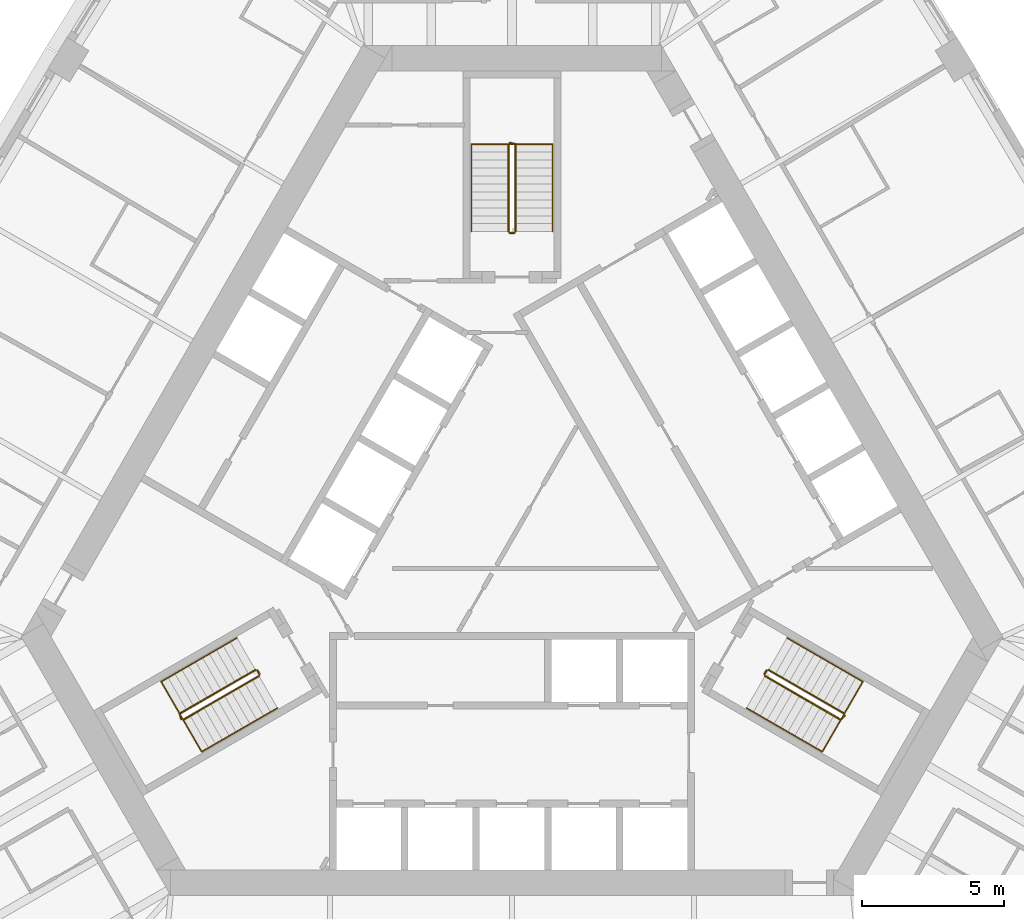
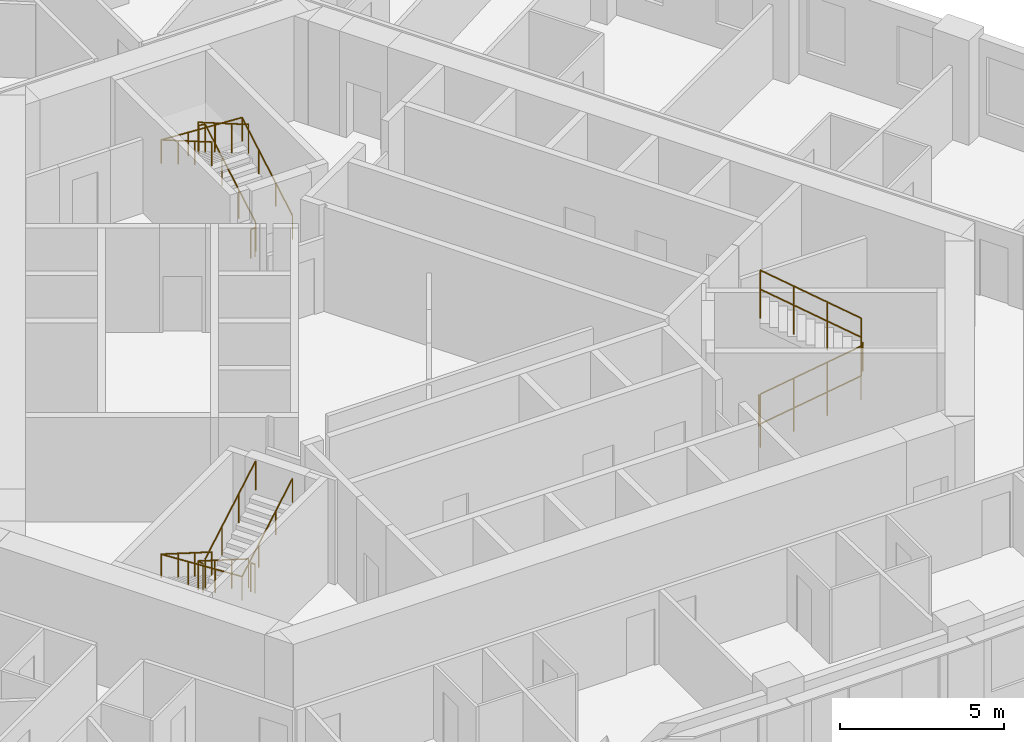
# One storey, part 13 of 13: 12 railings.
"""IFC4 building model written with IfcOpenShell, lengths in metres."""

import ifcopenshell
import ifcopenshell.guid

model = None  # the IFC model being written
_history = None  # IfcOwnerHistory: only IFC2X3 demands one
_inside = {}  # id of a spatial element -> (the spatial element, [elements in it])
_under = {}  # id of a project, library or spatial element -> (it, [spatial elements below it])
_declared = {}  # id of a project -> (the project, [libraries it declares])
_typed = {}  # id of a type object -> (the type object, [elements of that type])
_made_of = {}  # id of a material, layer set ... -> (it, [elements and type objects made of it])


def new_model(schema):
    """Start an empty IFC model of exactly this schema.

    Asked for "IFC4X3", IfcOpenShell would pick the latest addendum, in which some entities
    have other attributes; the version numbers below select the first issue.
    IFC2X3 requires an IfcOwnerHistory on every rooted entity: one is made here for all.
    """
    global model, _history
    if schema == "IFC4X3":
        model = ifcopenshell.file(schema_version=(4, 3, 0, 0))
    else:
        model = ifcopenshell.file(schema=schema)
    _inside.clear()
    _under.clear()
    _declared.clear()
    _typed.clear()
    _made_of.clear()
    _history = None
    if model.schema == "IFC2X3":
        org = make("IfcOrganization", Name="unknown")
        user = make(
            "IfcPersonAndOrganization",
            ThePerson=make("IfcPerson", FamilyName="unknown"),
            TheOrganization=org,
        )
        app = make(
            "IfcApplication",
            ApplicationDeveloper=org,
            Version="unknown",
            ApplicationFullName="unknown",
            ApplicationIdentifier="unknown",
        )
        _history = make(
            "IfcOwnerHistory",
            OwningUser=user,
            OwningApplication=app,
            ChangeAction="ADDED",
            CreationDate=0,
        )
    return model


def make(cls, **values):
    """One entity of the class cls with the attributes given. An attribute that is None is left unset."""
    return model.create_entity(
        cls, **{name: value for name, value in values.items() if value is not None}
    )


def rooted(cls, **values):
    """An entity with a GlobalId (a new one), such as an element, a storey or a relation."""
    return make(cls, GlobalId=ifcopenshell.guid.new(), OwnerHistory=_history, **values)


def si_unit(unit_type, name, prefix=None):
    """IfcSIUnit, for example si_unit("LENGTHUNIT", "METRE", prefix="MILLI")."""
    return make("IfcSIUnit", UnitType=unit_type, Prefix=prefix, Name=name)


def assignment(units):
    """IfcUnitAssignment: the units of a project."""
    return None if units is None else make("IfcUnitAssignment", Units=units)


def point(xyz):
    """IfcCartesianPoint."""
    return None if xyz is None else make("IfcCartesianPoint", Coordinates=xyz)


def direction(xyz):
    """IfcDirection."""
    return None if xyz is None else make("IfcDirection", DirectionRatios=xyz)


def frame(location, z_axis=None, x_axis=None):
    """IfcAxis2Placement3D, a coordinate frame: its origin and axes. An axis left out is left unset."""
    return make(
        "IfcAxis2Placement3D",
        Location=point(location),
        Axis=direction(z_axis),
        RefDirection=direction(x_axis),
    )


def frame_2d(location, x_axis=None):
    """IfcAxis2Placement2D, a coordinate frame in the plane: its origin and x axis."""
    return make(
        "IfcAxis2Placement2D", Location=point(location), RefDirection=direction(x_axis)
    )


def origin():
    """The frame at (0, 0, 0) with its axes left unset."""
    return frame((0.0, 0.0, 0.0))


def origin_2d():
    """The frame at (0, 0) in the plane with its x axis left unset."""
    return frame_2d((0.0, 0.0))


def place(relative_to, where):
    """IfcLocalPlacement: puts the frame where relative to a parent placement (None: the world)."""
    return make(
        "IfcLocalPlacement", PlacementRelTo=relative_to, RelativePlacement=where
    )


def context(
    kind, dimensions, precision=None, world=None, true_north=None, identifier=None
):
    """IfcGeometricRepresentationContext, for example the 3D "Model" context."""
    return make(
        "IfcGeometricRepresentationContext",
        ContextIdentifier=identifier,
        ContextType=kind,
        CoordinateSpaceDimension=dimensions,
        Precision=precision,
        WorldCoordinateSystem=world,
        TrueNorth=true_north,
    )


def subcontext(parent, identifier, kind, view, scale=None):
    """IfcGeometricRepresentationSubContext, for example "Body" below "Model"."""
    return make(
        "IfcGeometricRepresentationSubContext",
        ContextIdentifier=identifier,
        ContextType=kind,
        ParentContext=parent,
        TargetScale=scale,
        TargetView=view,
    )


def project(units=None, contexts=None):
    """IfcProject with its units and contexts."""
    return rooted(
        "IfcProject",
        Name="project",
        RepresentationContexts=contexts,
        UnitsInContext=assignment(units),
    )


def spatial(cls, under=None, at=None, **own):
    """A site, building, storey or space (cls), placed at a placement, below another one or the project."""
    s = rooted(cls, ObjectPlacement=at, **own)
    if under is not None:
        _under.setdefault(under.id(), (under, []))[1].append(s)
    return s


def profile(cls, at=None, kind="AREA", **sizes):
    """A parametric profile (cls). Its sizes go by their IFC names, for example OverallWidth=200.0."""
    return make(cls, ProfileType=kind, Position=at, **sizes)


def circle(**sizes):
    """IfcCircleProfileDef."""
    return profile("IfcCircleProfileDef", **sizes)


def extrude(swept, where, along, depth):
    """IfcExtrudedAreaSolid: the profile swept, set in the frame where, extruded along a direction by depth."""
    return make(
        "IfcExtrudedAreaSolid",
        SweptArea=swept,
        Position=where,
        ExtrudedDirection=direction(along),
        Depth=depth,
    )


def shape(context_of_items, identifier, shape_type, items):
    """IfcShapeRepresentation: the items that make up one representation, for example the "Body"."""
    return make(
        "IfcShapeRepresentation",
        ContextOfItems=context_of_items,
        RepresentationIdentifier=identifier,
        RepresentationType=shape_type,
        Items=items,
    )


def material(Name=None, Category=None):
    """IfcMaterial."""
    return make("IfcMaterial", Name=Name, Category=Category)


def made_of(thing, what):
    """Note that an element or type object is made of a material, layer set ...; save() writes the relation."""
    if what is not None:
        _made_of.setdefault(what.id(), (what, []))[1].append(thing)
    return thing


def type_object(cls, material=None, **own):
    """A type object (cls), such as IfcWallType, which elements share."""
    return made_of(rooted(cls, **own), material)


def element(
    cls,
    number,
    at=None,
    inside=None,
    cuts=None,
    type_object=None,
    material=None,
    context=None,
    identifier="Body",
    shape_type=None,
    held_by="IfcProductDefinitionShape",
    body=None,
    shapes=None,
    **own,
):
    """One element of the class cls, such as IfcWall. Its Tag is "e" and its number.

    at: its placement. inside: the storey or other place that contains it. cuts: it is an
    opening in that element (IfcRelVoidsElement). A single representation is given by context,
    identifier, shape_type and body (its items); several are given by shapes. held_by: the class
    of the entity that holds the representations. save() writes the other relations.
    """
    e = rooted(cls, Tag="e%d" % number, ObjectPlacement=at, **own)
    if body is not None:
        shapes = [shape(context, identifier, shape_type, body)]
    if shapes is not None:
        e.Representation = make(held_by, Representations=shapes)
    if inside is not None:
        _inside.setdefault(inside.id(), (inside, []))[1].append(e)
    if cuts is not None:
        rooted(
            "IfcRelVoidsElement", RelatingBuildingElement=cuts, RelatedOpeningElement=e
        )
    if type_object is not None:
        _typed.setdefault(type_object.id(), (type_object, []))[1].append(e)
    return made_of(e, material)


def aggregate(whole, parts):
    """IfcRelAggregates: a whole, such as a stair, and the parts it consists of."""
    return rooted("IfcRelAggregates", RelatingObject=whole, RelatedObjects=parts)


def save(model, path):
    """Write the relations noted so far, then the file.

    IfcRelAggregates (storeys below a building ...), IfcRelContainedInSpatialStructure (elements
    in a storey), IfcRelDefinesByType, IfcRelAssociatesMaterial and IfcRelDeclares: one each for
    every whole, place, type object, material and project.
    """
    for whole, parts in _under.values():
        aggregate(whole, parts)
    for where, things in _inside.values():
        rooted(
            "IfcRelContainedInSpatialStructure",
            RelatedElements=things,
            RelatingStructure=where,
        )
    for kind, things in _typed.values():
        rooted("IfcRelDefinesByType", RelatedObjects=things, RelatingType=kind)
    for what, things in _made_of.values():
        rooted("IfcRelAssociatesMaterial", RelatedObjects=things, RelatingMaterial=what)
    for by, libraries in _declared.values():
        rooted("IfcRelDeclares", RelatingContext=by, RelatedDefinitions=libraries)
    model.write(path)


model = new_model("IFC4")

# Units and contexts
model_context = context("Model", 3, precision=1e-05, world=origin(), true_north=direction((0.0, 1.0)))
body_context = subcontext(model_context, "Body", "Model", "MODEL_VIEW")
ifc_project = project(units=[si_unit("LENGTHUNIT", "METRE"), si_unit("AREAUNIT", "SQUARE_METRE"), si_unit("VOLUMEUNIT", "CUBIC_METRE"), si_unit("PLANEANGLEUNIT", "RADIAN"), si_unit("MASSUNIT", "GRAM", prefix="KILO")], contexts=[model_context])

# Site, building, storey
site_placement = place(None, origin())
site = spatial("IfcSite", under=ifc_project, at=site_placement, CompositionType="ELEMENT")
building_placement = place(site_placement, origin())
building = spatial("IfcBuilding", under=site, at=building_placement, Name="Mestral Congress Tower", CompositionType="ELEMENT")
storey_placement = place(building_placement, frame((0.0, 0.0, 99.300048828125)))
storey = spatial("IfcBuildingStorey", under=building, at=storey_placement, Name="L23", CompositionType="ELEMENT", Elevation=99.300048828125)

# Railings
ifc_material_1 = material(Name="Steel balustrade", Category="steel")
railing_type_1 = type_object("IfcRailingType", Name="Stair guard 1100", PredefinedType="GUARDRAIL", material=ifc_material_1)
railing_1_placement = place(storey_placement, frame((8.90087890625, -5.283203125, 0.162353515625)))
element("IfcRailing", 1, at=railing_1_placement, inside=storey, type_object=railing_type_1, Name="L23 ST1 stair guard 1", PredefinedType="GUARDRAIL", context=body_context, shape_type="SweptSolid", body=[
    extrude(circle(Radius=0.02392578125, at=origin_2d()), frame((0.0, 0.0, 1.076171875), z_axis=(0.748993966903, -0.432462603499, 0.501980212875), x_axis=(0.500026652407, 0.866010015463, 0.0)), (0.0, 0.0, 1.0), 3.56103515625),
    extrude(circle(Radius=0.02392578125, at=origin_2d()), frame((2.667236328125, -1.5400390625, 2.86376953125), z_axis=(0.695164929852, 0.718850276695, 0.0), x_axis=(-0.718850276695, 0.695164929852, 0.0)), (0.0, 0.0, 1.0), 0.2060546875),
    extrude(circle(Radius=0.02099609375, at=origin_2d()), origin(), (0.0, 0.0, 1.0), 1.052001953125),
    extrude(circle(Radius=0.02099609375, at=origin_2d()), frame((0.88916015625, -0.513427734375, 0.595947265625)), (0.0, 0.0, 1.0), 1.052001953125),
    extrude(circle(Radius=0.02099609375, at=origin_2d()), frame((1.778076171875, -1.026611328125, 1.191650390625)), (0.0, 0.0, 1.0), 1.052001953125),
    extrude(circle(Radius=0.02099609375, at=origin_2d()), frame((2.667236328125, -1.5400390625, 1.78759765625)), (0.0, 0.0, 1.0), 1.052001953125),
    extrude(circle(Radius=0.02099609375, at=origin_2d()), frame((2.810546875, -1.391845703125, 1.78759765625)), (0.0, 0.0, 1.0), 1.052001953125),
])
railing_2_placement = place(storey_placement, frame((11.693115234375, -6.606689453125, 2.112548828125)))
element("IfcRailing", 2, at=railing_2_placement, inside=storey, type_object=railing_type_1, Name="L23 ST1 stair guard 2", PredefinedType="GUARDRAIL", context=body_context, shape_type="SweptSolid", body=[
    extrude(circle(Radius=0.02392578125, at=origin_2d()), frame((0.0, 0.0, 1.076171875), z_axis=(-0.749019742845, 0.432477486304, 0.501928927906), x_axis=(-0.500026652407, -0.866010015463, 0.0)), (0.0, 0.0, 1.0), 3.56103515625),
    extrude(circle(Radius=0.02099609375, at=origin_2d()), origin(), (0.0, 0.0, 1.0), 1.052001953125),
    extrude(circle(Radius=0.02099609375, at=origin_2d()), frame((-0.88916015625, 0.513427734375, 0.595703125)), (0.0, 0.0, 1.0), 1.052001953125),
    extrude(circle(Radius=0.02099609375, at=origin_2d()), frame((-1.778076171875, 1.026611328125, 1.191650390625)), (0.0, 0.0, 1.0), 1.052001953125),
    extrude(circle(Radius=0.02099609375, at=origin_2d()), frame((-2.667236328125, 1.5400390625, 1.787353515625)), (0.0, 0.0, 1.0), 1.052001953125),
])
railing_3_placement = place(storey_placement, frame((8.882568359375, -5.21484375, 0.0)))
element("IfcRailing", 3, at=railing_3_placement, inside=storey, type_object=railing_type_1, Name="L23 ST1 stair guard 3", PredefinedType="GUARDRAIL", context=body_context, shape_type="SweptSolid", body=[
    extrude(circle(Radius=0.02392578125, at=origin_2d()), frame((0.0, 0.0, 1.076171875), z_axis=(0.499816412211, 0.866131372301, 0.0), x_axis=(-0.866131372301, 0.499816412211, 0.0)), (0.0, 0.0, 1.0), 0.14990234375),
    extrude(circle(Radius=0.02099609375, at=origin_2d()), origin(), (0.0, 0.0, 1.0), 1.052001953125),
    extrude(circle(Radius=0.02099609375, at=origin_2d()), frame((0.074951171875, 0.1298828125, 0.0)), (0.0, 0.0, 1.0), 1.052001953125),
])
railing_4_placement = place(storey_placement, frame((0.125, 10.35009765625, 0.162353515625)))
element("IfcRailing", 4, at=railing_4_placement, inside=storey, type_object=railing_type_1, Name="L23 ST2 stair guard 1", PredefinedType="GUARDRAIL", context=body_context, shape_type="SweptSolid", body=[
    extrude(circle(Radius=0.02392578125, at=origin_2d()), frame((0.0, 0.0, 1.076171875), z_axis=(0.0, 0.864873446163, 0.501989962173), x_axis=(-1.0, 0.0, 0.0)), (0.0, 0.0, 1.0), 3.56103515625),
    extrude(circle(Radius=0.02392578125, at=origin_2d()), frame((0.0, 3.079833984375, 2.86376953125), z_axis=(-0.970072785993, 0.242814311512, 0.0), x_axis=(-0.242814311512, -0.970072785993, 0.0)), (0.0, 0.0, 1.0), 0.2060546875),
    extrude(circle(Radius=0.02099609375, at=origin_2d()), origin(), (0.0, 0.0, 1.0), 1.052001953125),
    extrude(circle(Radius=0.02099609375, at=origin_2d()), frame((0.0, 1.026611328125, 0.595947265625)), (0.0, 0.0, 1.0), 1.052001953125),
    extrude(circle(Radius=0.02099609375, at=origin_2d()), frame((0.0, 2.05322265625, 1.191650390625)), (0.0, 0.0, 1.0), 1.052001953125),
    extrude(circle(Radius=0.02099609375, at=origin_2d()), frame((0.0, 3.079833984375, 1.78759765625)), (0.0, 0.0, 1.0), 1.052001953125),
    extrude(circle(Radius=0.02099609375, at=origin_2d()), frame((-0.199951171875, 3.1298828125, 1.78759765625)), (0.0, 0.0, 1.0), 1.052001953125),
])
railing_5_placement = place(storey_placement, frame((-0.125, 13.429931640625, 2.112548828125)))
element("IfcRailing", 5, at=railing_5_placement, inside=storey, type_object=railing_type_1, Name="L23 ST2 stair guard 2", PredefinedType="GUARDRAIL", context=body_context, shape_type="SweptSolid", body=[
    extrude(circle(Radius=0.02392578125, at=origin_2d()), frame((0.0, 0.0, 1.076171875), z_axis=(0.0, -0.864903211148, 0.501938676878), x_axis=(1.0, 0.0, 0.0)), (0.0, 0.0, 1.0), 3.560791015625),
    extrude(circle(Radius=0.02099609375, at=origin_2d()), origin(), (0.0, 0.0, 1.0), 1.052001953125),
    extrude(circle(Radius=0.02099609375, at=origin_2d()), frame((0.0, -1.026611328125, 0.595703125)), (0.0, 0.0, 1.0), 1.052001953125),
    extrude(circle(Radius=0.02099609375, at=origin_2d()), frame((0.0, -2.05322265625, 1.191650390625)), (0.0, 0.0, 1.0), 1.052001953125),
    extrude(circle(Radius=0.02099609375, at=origin_2d()), frame((0.0, -3.079833984375, 1.787353515625)), (0.0, 0.0, 1.0), 1.052001953125),
])
railing_6_placement = place(storey_placement, frame((0.074951171875, 10.300048828125, 0.0)))
element("IfcRailing", 6, at=railing_6_placement, inside=storey, type_object=railing_type_1, Name="L23 ST2 stair guard 3", PredefinedType="GUARDRAIL", context=body_context, shape_type="SweptSolid", body=[
    extrude(circle(Radius=0.02392578125, at=origin_2d()), frame((0.0, 0.0, 1.076171875), z_axis=(-1.0, 0.0, 0.0), x_axis=(0.0, -1.0, 0.0)), (0.0, 0.0, 1.0), 0.14990234375),
    extrude(circle(Radius=0.02099609375, at=origin_2d()), origin(), (0.0, 0.0, 1.0), 1.052001953125),
    extrude(circle(Radius=0.02099609375, at=origin_2d()), frame((-0.14990234375, 0.0, 0.0)), (0.0, 0.0, 1.0), 1.052001953125),
])
railing_7_placement = place(storey_placement, frame((-9.02587890625, -5.066650390625, 0.162353515625)))
element("IfcRailing", 7, at=railing_7_placement, inside=storey, type_object=railing_type_1, Name="L23 ST3 stair guard 1", PredefinedType="GUARDRAIL", context=body_context, shape_type="SweptSolid", body=[
    extrude(circle(Radius=0.02392578125, at=origin_2d()), frame((0.0, 0.0, 1.076171875), z_axis=(-0.748993966903, -0.432462603499, 0.501980212875), x_axis=(0.500026652407, -0.866010015463, 0.0)), (0.0, 0.0, 1.0), 3.56103515625),
    extrude(circle(Radius=0.02392578125, at=origin_2d()), frame((-2.667236328125, -1.5400390625, 2.86376953125), z_axis=(0.274721127897, -0.961523947641, 0.0), x_axis=(0.961523947641, 0.274721127897, 0.0)), (0.0, 0.0, 1.0), 0.2060546875),
    extrude(circle(Radius=0.02099609375, at=origin_2d()), origin(), (0.0, 0.0, 1.0), 1.052001953125),
    extrude(circle(Radius=0.02099609375, at=origin_2d()), frame((-0.88916015625, -0.513427734375, 0.595947265625)), (0.0, 0.0, 1.0), 1.052001953125),
    extrude(circle(Radius=0.02099609375, at=origin_2d()), frame((-1.778076171875, -1.026611328125, 1.191650390625)), (0.0, 0.0, 1.0), 1.052001953125),
    extrude(circle(Radius=0.02099609375, at=origin_2d()), frame((-2.667236328125, -1.5400390625, 1.78759765625)), (0.0, 0.0, 1.0), 1.052001953125),
    extrude(circle(Radius=0.02099609375, at=origin_2d()), frame((-2.610595703125, -1.73828125, 1.78759765625)), (0.0, 0.0, 1.0), 1.052001953125),
])
railing_8_placement = place(storey_placement, frame((-11.568115234375, -6.8232421875, 2.112548828125)))
element("IfcRailing", 8, at=railing_8_placement, inside=storey, type_object=railing_type_1, Name="L23 ST3 stair guard 2", PredefinedType="GUARDRAIL", context=body_context, shape_type="SweptSolid", body=[
    extrude(circle(Radius=0.02392578125, at=origin_2d()), frame((0.0, 0.0, 1.076171875), z_axis=(0.749019742845, 0.432477486304, 0.501928927906), x_axis=(-0.500026652407, 0.866010015463, 0.0)), (0.0, 0.0, 1.0), 3.56103515625),
    extrude(circle(Radius=0.02099609375, at=origin_2d()), origin(), (0.0, 0.0, 1.0), 1.052001953125),
    extrude(circle(Radius=0.02099609375, at=origin_2d()), frame((0.88916015625, 0.513427734375, 0.595703125)), (0.0, 0.0, 1.0), 1.052001953125),
    extrude(circle(Radius=0.02099609375, at=origin_2d()), frame((1.778076171875, 1.026611328125, 1.191650390625)), (0.0, 0.0, 1.0), 1.052001953125),
    extrude(circle(Radius=0.02099609375, at=origin_2d()), frame((2.667236328125, 1.5400390625, 1.787353515625)), (0.0, 0.0, 1.0), 1.052001953125),
])
railing_9_placement = place(storey_placement, frame((-8.95751953125, -5.0849609375, 0.0)))
element("IfcRailing", 9, at=railing_9_placement, inside=storey, type_object=railing_type_1, Name="L23 ST3 stair guard 3", PredefinedType="GUARDRAIL", context=body_context, shape_type="SweptSolid", body=[
    extrude(circle(Radius=0.02392578125, at=origin_2d()), frame((0.0, 0.0, 1.076171875), z_axis=(0.499816412211, -0.866131372301, 0.0), x_axis=(0.866131372301, 0.499816412211, 0.0)), (0.0, 0.0, 1.0), 0.14990234375),
    extrude(circle(Radius=0.02099609375, at=origin_2d()), origin(), (0.0, 0.0, 1.0), 1.052001953125),
    extrude(circle(Radius=0.02099609375, at=origin_2d()), frame((0.074951171875, -0.1298828125, 0.0)), (0.0, 0.0, 1.0), 1.052001953125),
])
ifc_material_2 = material(Name="Steel handrail", Category="steel")
railing_type_2 = type_object("IfcRailingType", Name="Stair handrail 900", PredefinedType="HANDRAIL", material=ifc_material_2)
railing_10_placement = place(storey_placement, frame((8.2509765625, -6.4091796875, 0.162353515625)))
element("IfcRailing", 10, at=railing_10_placement, inside=storey, type_object=railing_type_2, Name="L23 ST1 stair handrail 1", PredefinedType="HANDRAIL", context=body_context, shape_type="SweptSolid", body=[
    extrude(circle(Radius=0.02392578125, at=origin_2d()), frame((0.0, 0.0, 0.8759765625), z_axis=(0.749016172816, -0.432406865167, 0.50199509541), x_axis=(0.499967199496, 0.866044340336, 0.0)), (0.0, 0.0, 1.0), 3.56103515625),
    extrude(circle(Radius=0.02392578125, at=origin_2d()), frame((2.667236328125, -1.539794921875, 2.66357421875), z_axis=(0.499224505807, 0.864598343191, 0.056961370716), x_axis=(-0.866004402611, 0.500036373335, 0.0)), (0.0, 0.0, 1.0), 2.8544921875),
    extrude(circle(Radius=0.02392578125, at=origin_2d()), frame((4.09228515625, 0.92822265625, 2.826171875), z_axis=(-0.749049836341, 0.432455278019, 0.501903153199), x_axis=(-0.499992328818, -0.866029832698, 0.0)), (0.0, 0.0, 1.0), 3.56103515625),
    extrude(circle(Radius=0.02099609375, at=origin_2d()), origin(), (0.0, 0.0, 1.0), 0.851806640625),
    extrude(circle(Radius=0.02099609375, at=origin_2d()), frame((0.88916015625, -0.51318359375, 0.595947265625)), (0.0, 0.0, 1.0), 0.851806640625),
    extrude(circle(Radius=0.02099609375, at=origin_2d()), frame((1.778076171875, -1.026611328125, 1.191650390625)), (0.0, 0.0, 1.0), 0.851806640625),
    extrude(circle(Radius=0.02099609375, at=origin_2d()), frame((2.667236328125, -1.539794921875, 1.78759765625)), (0.0, 0.0, 1.0), 0.851806640625),
    extrude(circle(Radius=0.02099609375, at=origin_2d()), frame((3.142333984375, -0.717041015625, 1.841796875)), (0.0, 0.0, 1.0), 0.851806640625),
    extrude(circle(Radius=0.02099609375, at=origin_2d()), frame((3.6171875, 0.10546875, 1.89599609375)), (0.0, 0.0, 1.0), 0.851806640625),
    extrude(circle(Radius=0.02099609375, at=origin_2d()), frame((4.09228515625, 0.92822265625, 1.9501953125)), (0.0, 0.0, 1.0), 0.851806640625),
    extrude(circle(Radius=0.02099609375, at=origin_2d()), frame((3.203125, 1.441650390625, 2.5458984375)), (0.0, 0.0, 1.0), 0.851806640625),
    extrude(circle(Radius=0.02099609375, at=origin_2d()), frame((2.31396484375, 1.954833984375, 3.141845703125)), (0.0, 0.0, 1.0), 0.851806640625),
    extrude(circle(Radius=0.02099609375, at=origin_2d()), frame((1.4248046875, 2.46826171875, 3.737548828125)), (0.0, 0.0, 1.0), 0.851806640625),
])
railing_11_placement = place(storey_placement, frame((1.425048828125, 10.35009765625, 0.162353515625)))
element("IfcRailing", 11, at=railing_11_placement, inside=storey, type_object=railing_type_2, Name="L23 ST2 stair handrail 1", PredefinedType="HANDRAIL", context=body_context, shape_type="SweptSolid", body=[
    extrude(circle(Radius=0.02392578125, at=origin_2d()), frame((0.0, 0.0, 0.8759765625), z_axis=(0.0, 0.864873446163, 0.501989962173), x_axis=(-1.0, 0.0, 0.0)), (0.0, 0.0, 1.0), 3.56103515625),
    extrude(circle(Radius=0.02392578125, at=origin_2d()), frame((0.0, 3.079833984375, 2.66357421875), z_axis=(-0.998376618682, 0.0, 0.056957240709), x_axis=(0.0, -1.0, 0.0)), (0.0, 0.0, 1.0), 2.854736328125),
    extrude(circle(Radius=0.02392578125, at=origin_2d()), frame((-2.85009765625, 3.079833984375, 2.826171875), z_axis=(0.0, -0.864903211148, 0.501938676878), x_axis=(1.0, 0.0, 0.0)), (0.0, 0.0, 1.0), 3.560791015625),
    extrude(circle(Radius=0.02099609375, at=origin_2d()), origin(), (0.0, 0.0, 1.0), 0.851806640625),
    extrude(circle(Radius=0.02099609375, at=origin_2d()), frame((0.0, 1.026611328125, 0.595947265625)), (0.0, 0.0, 1.0), 0.851806640625),
    extrude(circle(Radius=0.02099609375, at=origin_2d()), frame((0.0, 2.05322265625, 1.191650390625)), (0.0, 0.0, 1.0), 0.851806640625),
    extrude(circle(Radius=0.02099609375, at=origin_2d()), frame((0.0, 3.079833984375, 1.78759765625)), (0.0, 0.0, 1.0), 0.851806640625),
    extrude(circle(Radius=0.02099609375, at=origin_2d()), frame((-0.949951171875, 3.079833984375, 1.841796875)), (0.0, 0.0, 1.0), 0.851806640625),
    extrude(circle(Radius=0.02099609375, at=origin_2d()), frame((-1.900146484375, 3.079833984375, 1.89599609375)), (0.0, 0.0, 1.0), 0.851806640625),
    extrude(circle(Radius=0.02099609375, at=origin_2d()), frame((-2.85009765625, 3.079833984375, 1.9501953125)), (0.0, 0.0, 1.0), 0.851806640625),
    extrude(circle(Radius=0.02099609375, at=origin_2d()), frame((-2.85009765625, 2.05322265625, 2.5458984375)), (0.0, 0.0, 1.0), 0.851806640625),
    extrude(circle(Radius=0.02099609375, at=origin_2d()), frame((-2.85009765625, 1.026611328125, 3.141845703125)), (0.0, 0.0, 1.0), 0.851806640625),
    extrude(circle(Radius=0.02099609375, at=origin_2d()), frame((-2.85009765625, 0.0, 3.737548828125)), (0.0, 0.0, 1.0), 0.851806640625),
])
railing_12_placement = place(storey_placement, frame((-9.67578125, -3.94091796875, 0.162353515625)))
element("IfcRailing", 12, at=railing_12_placement, inside=storey, type_object=railing_type_2, Name="L23 ST3 stair handrail 1", PredefinedType="HANDRAIL", context=body_context, shape_type="SweptSolid", body=[
    extrude(circle(Radius=0.02392578125, at=origin_2d()), frame((0.0, 0.0, 0.8759765625), z_axis=(-0.74902406201, -0.432440397507, 0.501954437309), x_axis=(0.499992328818, -0.866029832698, 0.0)), (0.0, 0.0, 1.0), 3.561279296875),
    extrude(circle(Radius=0.02392578125, at=origin_2d()), frame((-2.66748046875, -1.5400390625, 2.66357421875), z_axis=(0.499224505807, -0.864598343191, 0.056961370716), x_axis=(0.866004402611, 0.500036373335, 0.0)), (0.0, 0.0, 1.0), 2.8544921875),
    extrude(circle(Radius=0.02392578125, at=origin_2d()), frame((-1.242431640625, -4.008056640625, 2.826171875), z_axis=(0.749041951051, 0.432421746936, 0.501943809945), x_axis=(-0.499967199496, 0.866044340336, 0.0)), (0.0, 0.0, 1.0), 3.560791015625),
    extrude(circle(Radius=0.02099609375, at=origin_2d()), origin(), (0.0, 0.0, 1.0), 0.851806640625),
    extrude(circle(Radius=0.02099609375, at=origin_2d()), frame((-0.88916015625, -0.513427734375, 0.595947265625)), (0.0, 0.0, 1.0), 0.851806640625),
    extrude(circle(Radius=0.02099609375, at=origin_2d()), frame((-1.7783203125, -1.026611328125, 1.191650390625)), (0.0, 0.0, 1.0), 0.851806640625),
    extrude(circle(Radius=0.02099609375, at=origin_2d()), frame((-2.66748046875, -1.5400390625, 1.78759765625)), (0.0, 0.0, 1.0), 0.851806640625),
    extrude(circle(Radius=0.02099609375, at=origin_2d()), frame((-2.1923828125, -2.36279296875, 1.841796875)), (0.0, 0.0, 1.0), 0.851806640625),
    extrude(circle(Radius=0.02099609375, at=origin_2d()), frame((-1.717529296875, -3.185302734375, 1.89599609375)), (0.0, 0.0, 1.0), 0.851806640625),
    extrude(circle(Radius=0.02099609375, at=origin_2d()), frame((-1.242431640625, -4.008056640625, 1.9501953125)), (0.0, 0.0, 1.0), 0.851806640625),
    extrude(circle(Radius=0.02099609375, at=origin_2d()), frame((-0.353271484375, -3.494873046875, 2.5458984375)), (0.0, 0.0, 1.0), 0.851806640625),
    extrude(circle(Radius=0.02099609375, at=origin_2d()), frame((0.53564453125, -2.9814453125, 3.141845703125)), (0.0, 0.0, 1.0), 0.851806640625),
    extrude(circle(Radius=0.02099609375, at=origin_2d()), frame((1.4248046875, -2.46826171875, 3.737548828125)), (0.0, 0.0, 1.0), 0.851806640625),
])

save(model, "model.ifc")
